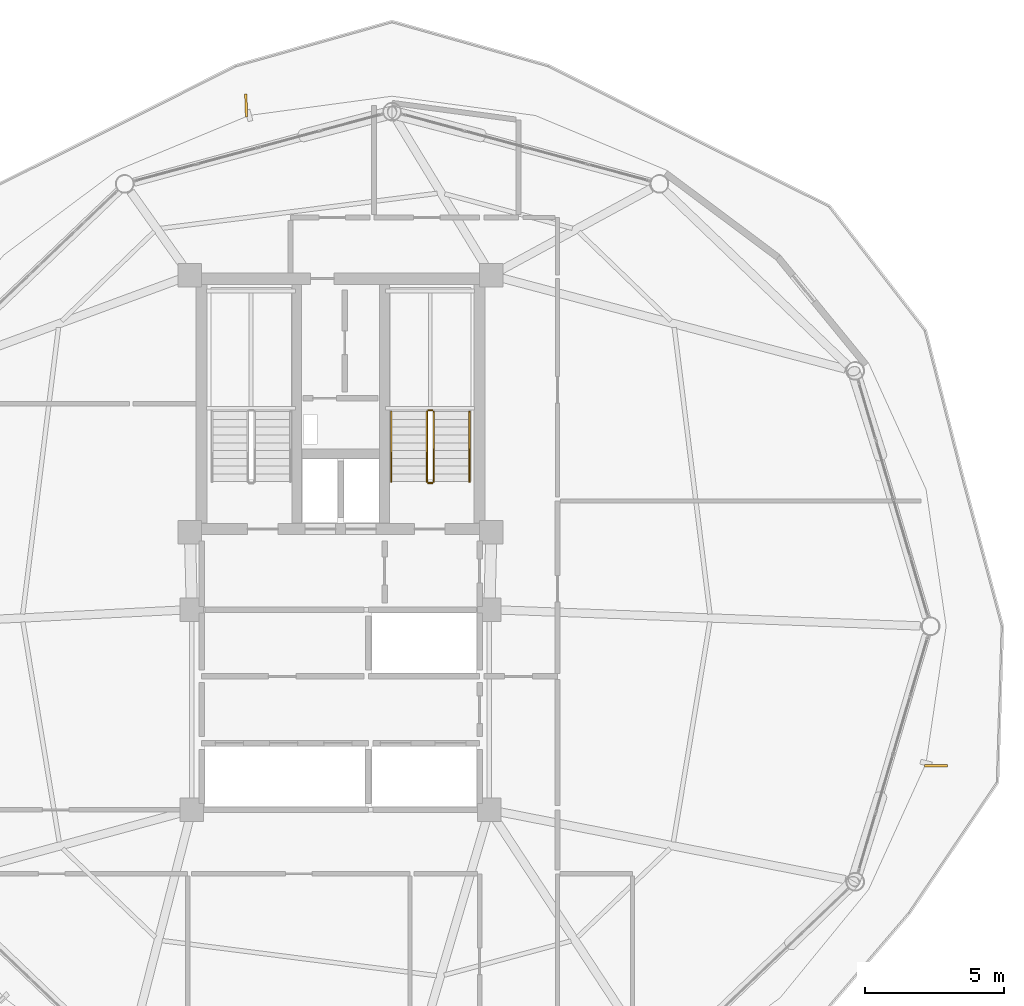
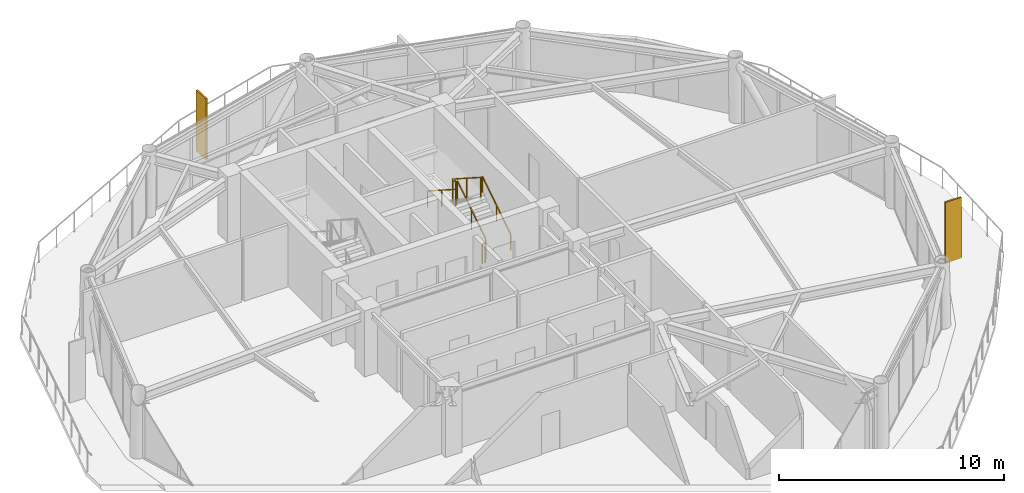
# One storey, part 28 of 28: 6 railings, 2 shading devices.
"""IFC4 building model written with IfcOpenShell, lengths in metres."""

import ifcopenshell
import ifcopenshell.guid

model = None  # the IFC model being written
_history = None  # IfcOwnerHistory: only IFC2X3 demands one
_inside = {}  # id of a spatial element -> (the spatial element, [elements in it])
_under = {}  # id of a project, library or spatial element -> (it, [spatial elements below it])
_declared = {}  # id of a project -> (the project, [libraries it declares])
_typed = {}  # id of a type object -> (the type object, [elements of that type])
_made_of = {}  # id of a material, layer set ... -> (it, [elements and type objects made of it])


def new_model(schema):
    """Start an empty IFC model of exactly this schema.

    Asked for "IFC4X3", IfcOpenShell would pick the latest addendum, in which some entities
    have other attributes; the version numbers below select the first issue.
    IFC2X3 requires an IfcOwnerHistory on every rooted entity: one is made here for all.
    """
    global model, _history
    if schema == "IFC4X3":
        model = ifcopenshell.file(schema_version=(4, 3, 0, 0))
    else:
        model = ifcopenshell.file(schema=schema)
    _inside.clear()
    _under.clear()
    _declared.clear()
    _typed.clear()
    _made_of.clear()
    _history = None
    if model.schema == "IFC2X3":
        org = make("IfcOrganization", Name="unknown")
        user = make(
            "IfcPersonAndOrganization",
            ThePerson=make("IfcPerson", FamilyName="unknown"),
            TheOrganization=org,
        )
        app = make(
            "IfcApplication",
            ApplicationDeveloper=org,
            Version="unknown",
            ApplicationFullName="unknown",
            ApplicationIdentifier="unknown",
        )
        _history = make(
            "IfcOwnerHistory",
            OwningUser=user,
            OwningApplication=app,
            ChangeAction="ADDED",
            CreationDate=0,
        )
    return model


def make(cls, **values):
    """One entity of the class cls with the attributes given. An attribute that is None is left unset."""
    return model.create_entity(
        cls, **{name: value for name, value in values.items() if value is not None}
    )


def rooted(cls, **values):
    """An entity with a GlobalId (a new one), such as an element, a storey or a relation."""
    return make(cls, GlobalId=ifcopenshell.guid.new(), OwnerHistory=_history, **values)


def si_unit(unit_type, name, prefix=None):
    """IfcSIUnit, for example si_unit("LENGTHUNIT", "METRE", prefix="MILLI")."""
    return make("IfcSIUnit", UnitType=unit_type, Prefix=prefix, Name=name)


def assignment(units):
    """IfcUnitAssignment: the units of a project."""
    return None if units is None else make("IfcUnitAssignment", Units=units)


def point(xyz):
    """IfcCartesianPoint."""
    return None if xyz is None else make("IfcCartesianPoint", Coordinates=xyz)


def direction(xyz):
    """IfcDirection."""
    return None if xyz is None else make("IfcDirection", DirectionRatios=xyz)


def frame(location, z_axis=None, x_axis=None):
    """IfcAxis2Placement3D, a coordinate frame: its origin and axes. An axis left out is left unset."""
    return make(
        "IfcAxis2Placement3D",
        Location=point(location),
        Axis=direction(z_axis),
        RefDirection=direction(x_axis),
    )


def frame_2d(location, x_axis=None):
    """IfcAxis2Placement2D, a coordinate frame in the plane: its origin and x axis."""
    return make(
        "IfcAxis2Placement2D", Location=point(location), RefDirection=direction(x_axis)
    )


def origin():
    """The frame at (0, 0, 0) with its axes left unset."""
    return frame((0.0, 0.0, 0.0))


def origin_2d():
    """The frame at (0, 0) in the plane with its x axis left unset."""
    return frame_2d((0.0, 0.0))


def place(relative_to, where):
    """IfcLocalPlacement: puts the frame where relative to a parent placement (None: the world)."""
    return make(
        "IfcLocalPlacement", PlacementRelTo=relative_to, RelativePlacement=where
    )


def context(
    kind, dimensions, precision=None, world=None, true_north=None, identifier=None
):
    """IfcGeometricRepresentationContext, for example the 3D "Model" context."""
    return make(
        "IfcGeometricRepresentationContext",
        ContextIdentifier=identifier,
        ContextType=kind,
        CoordinateSpaceDimension=dimensions,
        Precision=precision,
        WorldCoordinateSystem=world,
        TrueNorth=true_north,
    )


def subcontext(parent, identifier, kind, view, scale=None):
    """IfcGeometricRepresentationSubContext, for example "Body" below "Model"."""
    return make(
        "IfcGeometricRepresentationSubContext",
        ContextIdentifier=identifier,
        ContextType=kind,
        ParentContext=parent,
        TargetScale=scale,
        TargetView=view,
    )


def project(units=None, contexts=None):
    """IfcProject with its units and contexts."""
    return rooted(
        "IfcProject",
        Name="project",
        RepresentationContexts=contexts,
        UnitsInContext=assignment(units),
    )


def spatial(cls, under=None, at=None, **own):
    """A site, building, storey or space (cls), placed at a placement, below another one or the project."""
    s = rooted(cls, ObjectPlacement=at, **own)
    if under is not None:
        _under.setdefault(under.id(), (under, []))[1].append(s)
    return s


def profile(cls, at=None, kind="AREA", **sizes):
    """A parametric profile (cls). Its sizes go by their IFC names, for example OverallWidth=200.0."""
    return make(cls, ProfileType=kind, Position=at, **sizes)


def rectangle(**sizes):
    """IfcRectangleProfileDef."""
    return profile("IfcRectangleProfileDef", **sizes)


def extrude(swept, where, along, depth):
    """IfcExtrudedAreaSolid: the profile swept, set in the frame where, extruded along a direction by depth."""
    return make(
        "IfcExtrudedAreaSolid",
        SweptArea=swept,
        Position=where,
        ExtrudedDirection=direction(along),
        Depth=depth,
    )


def shape(context_of_items, identifier, shape_type, items):
    """IfcShapeRepresentation: the items that make up one representation, for example the "Body"."""
    return make(
        "IfcShapeRepresentation",
        ContextOfItems=context_of_items,
        RepresentationIdentifier=identifier,
        RepresentationType=shape_type,
        Items=items,
    )


def source(mapping_origin, context_of_items, identifier, shape_type, items):
    """IfcRepresentationMap: a shape defined once, which mapped items show again and again."""
    return make(
        "IfcRepresentationMap",
        MappingOrigin=mapping_origin,
        MappedRepresentation=shape(context_of_items, identifier, shape_type, items),
    )


def transform(
    local_origin,
    x_axis=None,
    y_axis=None,
    z_axis=None,
    scale=None,
    scale2=None,
    scale3=None,
    uniform=True,
):
    """IfcCartesianTransformationOperator3D, or its non-uniform kind. x_axis, y_axis, z_axis: its Axis1, 2, 3."""
    if uniform:
        return make(
            "IfcCartesianTransformationOperator3D",
            Axis1=direction(x_axis),
            Axis2=direction(y_axis),
            LocalOrigin=point(local_origin),
            Scale=scale,
            Axis3=direction(z_axis),
        )
    return make(
        "IfcCartesianTransformationOperator3DnonUniform",
        Axis1=direction(x_axis),
        Axis2=direction(y_axis),
        LocalOrigin=point(local_origin),
        Scale=scale,
        Axis3=direction(z_axis),
        Scale2=scale2,
        Scale3=scale3,
    )


def mapped(mapping_source, mapping_target):
    """IfcMappedItem: shows the shape of a source again, moved by a transform."""
    return make(
        "IfcMappedItem", MappingSource=mapping_source, MappingTarget=mapping_target
    )


def material(Name=None, Category=None):
    """IfcMaterial."""
    return make("IfcMaterial", Name=Name, Category=Category)


def made_of(thing, what):
    """Note that an element or type object is made of a material, layer set ...; save() writes the relation."""
    if what is not None:
        _made_of.setdefault(what.id(), (what, []))[1].append(thing)
    return thing


def type_object(cls, material=None, **own):
    """A type object (cls), such as IfcWallType, which elements share."""
    return made_of(rooted(cls, **own), material)


def type_shapes(of_type, sources):
    """Give a type object the sources (RepresentationMaps) that its elements show as mapped items."""
    of_type.RepresentationMaps = sources


def element(
    cls,
    number,
    at=None,
    inside=None,
    cuts=None,
    type_object=None,
    material=None,
    context=None,
    identifier="Body",
    shape_type=None,
    held_by="IfcProductDefinitionShape",
    body=None,
    shapes=None,
    **own,
):
    """One element of the class cls, such as IfcWall. Its Tag is "e" and its number.

    at: its placement. inside: the storey or other place that contains it. cuts: it is an
    opening in that element (IfcRelVoidsElement). A single representation is given by context,
    identifier, shape_type and body (its items); several are given by shapes. held_by: the class
    of the entity that holds the representations. save() writes the other relations.
    """
    e = rooted(cls, Tag="e%d" % number, ObjectPlacement=at, **own)
    if body is not None:
        shapes = [shape(context, identifier, shape_type, body)]
    if shapes is not None:
        e.Representation = make(held_by, Representations=shapes)
    if inside is not None:
        _inside.setdefault(inside.id(), (inside, []))[1].append(e)
    if cuts is not None:
        rooted(
            "IfcRelVoidsElement", RelatingBuildingElement=cuts, RelatedOpeningElement=e
        )
    if type_object is not None:
        _typed.setdefault(type_object.id(), (type_object, []))[1].append(e)
    return made_of(e, material)


def aggregate(whole, parts):
    """IfcRelAggregates: a whole, such as a stair, and the parts it consists of."""
    return rooted("IfcRelAggregates", RelatingObject=whole, RelatedObjects=parts)


def save(model, path):
    """Write the relations noted so far, then the file.

    IfcRelAggregates (storeys below a building ...), IfcRelContainedInSpatialStructure (elements
    in a storey), IfcRelDefinesByType, IfcRelAssociatesMaterial and IfcRelDeclares: one each for
    every whole, place, type object, material and project.
    """
    for whole, parts in _under.values():
        aggregate(whole, parts)
    for where, things in _inside.values():
        rooted(
            "IfcRelContainedInSpatialStructure",
            RelatedElements=things,
            RelatingStructure=where,
        )
    for kind, things in _typed.values():
        rooted("IfcRelDefinesByType", RelatedObjects=things, RelatingType=kind)
    for what, things in _made_of.values():
        rooted("IfcRelAssociatesMaterial", RelatedObjects=things, RelatingMaterial=what)
    for by, libraries in _declared.values():
        rooted("IfcRelDeclares", RelatingContext=by, RelatedDefinitions=libraries)
    model.write(path)


model = new_model("IFC4")

# Units and contexts
model_context = context("Model", 3, precision=1e-05, world=origin(), true_north=direction((0.0, 1.0)))
body_context = subcontext(model_context, "Body", "Model", "MODEL_VIEW")
ifc_project = project(units=[si_unit("LENGTHUNIT", "METRE"), si_unit("AREAUNIT", "SQUARE_METRE"), si_unit("VOLUMEUNIT", "CUBIC_METRE"), si_unit("PLANEANGLEUNIT", "RADIAN"), si_unit("MASSUNIT", "GRAM", prefix="KILO")], contexts=[model_context])

# Site, building, storey
site_placement = place(None, origin())
site = spatial("IfcSite", under=ifc_project, at=site_placement, CompositionType="ELEMENT")
building_placement = place(site_placement, origin())
building = spatial("IfcBuilding", under=site, at=building_placement, Name="Varnakorn Sky Granary", CompositionType="ELEMENT")
storey_placement = place(building_placement, frame((0.0, 0.0, 200.39990234375)))
storey = spatial("IfcBuildingStorey", under=building, at=storey_placement, Name="L50", CompositionType="ELEMENT", Elevation=200.39990234375)

# Railings
ifc_material_1 = material(Name="Brushed Stainless Steel 316", Category="steel")
railing_type_1 = type_object("IfcRailingType", Name="RL-STAIR-1100", PredefinedType="GUARDRAIL", material=ifc_material_1)
railing_1_placement = place(storey_placement, frame((6.35009765625, 5.199951171875, 0.18017578125)))
element("IfcRailing", 1, at=railing_1_placement, inside=storey, type_object=railing_type_1, Name="L50 ST-2 stair guard 1", PredefinedType="GUARDRAIL", context=body_context, shape_type="SweptSolid", body=[
    extrude(rectangle(XDim=0.048095703125, YDim=0.048095703125, at=origin_2d()), frame((0.0, 0.0, 1.076171875), z_axis=(0.0, 0.841199657755, 0.540724639528), x_axis=(-1.0, 0.0, 0.0)), (0.0, 0.0, 1.0), 2.995849609375),
    extrude(rectangle(XDim=0.0419921875, YDim=0.0419921875, at=origin_2d()), origin(), (0.0, 0.0, 1.0), 1.048095703125),
    extrude(rectangle(XDim=0.0419921875, YDim=0.0419921875, at=origin_2d()), frame((0.0, 1.260009765625, 0.81005859375)), (0.0, 0.0, 1.0), 1.048095703125),
    extrude(rectangle(XDim=0.0419921875, YDim=0.0419921875, at=origin_2d()), frame((0.0, 2.52001953125, 1.619873046875)), (0.0, 0.0, 1.0), 1.048095703125),
])
railing_2_placement = place(storey_placement, frame((6.300048828125, 7.77001953125, 1.800048828125)))
element("IfcRailing", 2, at=railing_2_placement, inside=storey, type_object=railing_type_1, Name="L50 ST-2 stair guard 2", PredefinedType="GUARDRAIL", context=body_context, shape_type="SweptSolid", body=[
    extrude(rectangle(XDim=0.048095703125, YDim=0.048095703125, at=origin_2d()), frame((0.0, 0.0, 1.076171875), z_axis=(-1.0, 0.0, 0.0), x_axis=(0.0, -1.0, 0.0)), (0.0, 0.0, 1.0), 0.150146484375),
    extrude(rectangle(XDim=0.0419921875, YDim=0.0419921875, at=origin_2d()), origin(), (0.0, 0.0, 1.0), 1.048095703125),
    extrude(rectangle(XDim=0.0419921875, YDim=0.0419921875, at=origin_2d()), frame((-0.150146484375, 0.0, 0.0)), (0.0, 0.0, 1.0), 1.048095703125),
])
railing_3_placement = place(storey_placement, frame((6.10009765625, 7.719970703125, 1.97998046875)))
element("IfcRailing", 3, at=railing_3_placement, inside=storey, type_object=railing_type_1, Name="L50 ST-2 stair guard 3", PredefinedType="GUARDRAIL", context=body_context, shape_type="SweptSolid", body=[
    extrude(rectangle(XDim=0.048095703125, YDim=0.048095703125, at=origin_2d()), frame((0.0, 0.0, 1.076171875), z_axis=(0.0, -0.841162588446, 0.540782303519), x_axis=(1.0, 0.0, 0.0)), (0.0, 0.0, 1.0), 2.995849609375),
    extrude(rectangle(XDim=0.0419921875, YDim=0.0419921875, at=origin_2d()), origin(), (0.0, 0.0, 1.0), 1.048095703125),
    extrude(rectangle(XDim=0.0419921875, YDim=0.0419921875, at=origin_2d()), frame((0.0, -1.260009765625, 0.81005859375)), (0.0, 0.0, 1.0), 1.048095703125),
    extrude(rectangle(XDim=0.0419921875, YDim=0.0419921875, at=origin_2d()), frame((0.0, -2.52001953125, 1.6201171875)), (0.0, 0.0, 1.0), 1.048095703125),
])
railing_4_placement = place(storey_placement, frame((6.300048828125, 5.14990234375, 0.0)))
element("IfcRailing", 4, at=railing_4_placement, inside=storey, type_object=railing_type_1, Name="L50 ST-2 stair guard 4", PredefinedType="GUARDRAIL", context=body_context, shape_type="SweptSolid", body=[
    extrude(rectangle(XDim=0.048095703125, YDim=0.048095703125, at=origin_2d()), frame((0.0, 0.0, 1.076171875), z_axis=(-1.0, 0.0, 0.0), x_axis=(0.0, -1.0, 0.0)), (0.0, 0.0, 1.0), 0.150146484375),
    extrude(rectangle(XDim=0.0419921875, YDim=0.0419921875, at=origin_2d()), origin(), (0.0, 0.0, 1.0), 1.048095703125),
    extrude(rectangle(XDim=0.0419921875, YDim=0.0419921875, at=origin_2d()), frame((-0.150146484375, 0.0, 0.0)), (0.0, 0.0, 1.0), 1.048095703125),
])
railing_type_2 = type_object("IfcRailingType", Name="RL-STAIR-920", PredefinedType="HANDRAIL", material=ifc_material_1)
railing_5_placement = place(storey_placement, frame((7.6298828125, 5.199951171875, 0.18017578125)))
element("IfcRailing", 5, at=railing_5_placement, inside=storey, type_object=railing_type_2, Name="L50 ST-2 stair handrail 1", PredefinedType="HANDRAIL", context=body_context, shape_type="SweptSolid", body=[
    extrude(rectangle(XDim=0.048095703125, YDim=0.048095703125, at=origin_2d()), frame((0.0, 0.0, 0.8759765625), z_axis=(0.0, 0.841199657755, 0.540724639528), x_axis=(-1.0, 0.0, 0.0)), (0.0, 0.0, 1.0), 2.995849609375),
    extrude(rectangle(XDim=0.0419921875, YDim=0.0419921875, at=origin_2d()), origin(), (0.0, 0.0, 1.0), 0.847900390625),
    extrude(rectangle(XDim=0.0419921875, YDim=0.0419921875, at=origin_2d()), frame((0.0, 1.260009765625, 0.81005859375)), (0.0, 0.0, 1.0), 0.847900390625),
    extrude(rectangle(XDim=0.0419921875, YDim=0.0419921875, at=origin_2d()), frame((0.0, 2.52001953125, 1.619873046875)), (0.0, 0.0, 1.0), 0.847900390625),
])
railing_6_placement = place(storey_placement, frame((4.820068359375, 7.719970703125, 1.97998046875)))
element("IfcRailing", 6, at=railing_6_placement, inside=storey, type_object=railing_type_2, Name="L50 ST-2 stair handrail 2", PredefinedType="HANDRAIL", context=body_context, shape_type="SweptSolid", body=[
    extrude(rectangle(XDim=0.048095703125, YDim=0.048095703125, at=origin_2d()), frame((0.0, 0.0, 0.8759765625), z_axis=(0.0, -0.841162588446, 0.540782303519), x_axis=(1.0, 0.0, 0.0)), (0.0, 0.0, 1.0), 2.995849609375),
    extrude(rectangle(XDim=0.0419921875, YDim=0.0419921875, at=origin_2d()), origin(), (0.0, 0.0, 1.0), 0.847900390625),
    extrude(rectangle(XDim=0.0419921875, YDim=0.0419921875, at=origin_2d()), frame((0.0, -1.260009765625, 0.81005859375)), (0.0, 0.0, 1.0), 0.847900390625),
    extrude(rectangle(XDim=0.0419921875, YDim=0.0419921875, at=origin_2d()), frame((0.0, -2.52001953125, 1.6201171875)), (0.0, 0.0, 1.0), 0.847900390625),
])

# Shading devices
ifc_material_2 = material(Name="Anodised Bronze Aluminium Alloy 6063-T6", Category="aluminium")
shading_device_type = type_object("IfcShadingDeviceType", Name="SH-FIN-02", PredefinedType="USERDEFINED", material=ifc_material_2)
shared_shape = source(origin(), body_context, "Body", "SweptSolid", [
    extrude(rectangle(XDim=0.0849609375, YDim=0.820068359375, at=origin_2d()), origin(), (0.0, 0.0, 1.0), 3.300048828125),
])
type_shapes(shading_device_type, [shared_shape])
for number, where, z_axis, x_axis, name in (
    (7, (-0.396728515625, 18.725830078125, -0.0400390625), (0.0, 0.0, 1.0), (-0.999402199136, -0.034572306303, 0.0), "Bronze Solar-Tracking Vertical Blade FIN L50-04"),
    (8, (24.412353515625, -5.0126953125, -0.0400390625), (0.0, 0.0, 1.0), (0.006012121795, 0.999981927032, 0.0), "Bronze Solar-Tracking Vertical Blade FIN L50-12"),
):
    element("IfcShadingDevice", number, at=place(storey_placement, frame(where, z_axis=z_axis, x_axis=x_axis)), inside=storey, type_object=shading_device_type, Name=name, ObjectType="FIN", PredefinedType="USERDEFINED", context=body_context, shape_type="MappedRepresentation", body=[
        mapped(shared_shape, transform((0.0, 0.0, 0.0), x_axis=(1.0, 0.0, 0.0), y_axis=(0.0, 1.0, 0.0), z_axis=(0.0, 0.0, 1.0), scale=1.0)),
    ])

save(model, "model.ifc")
